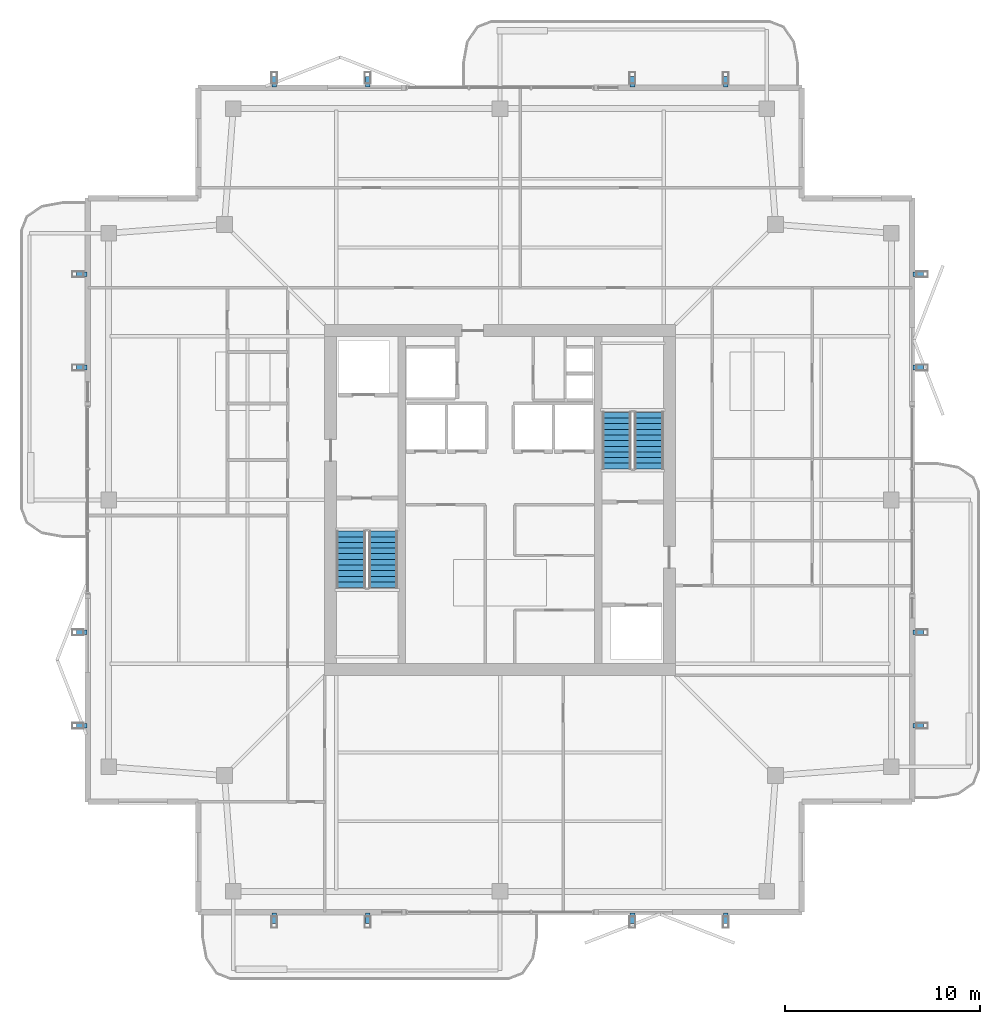
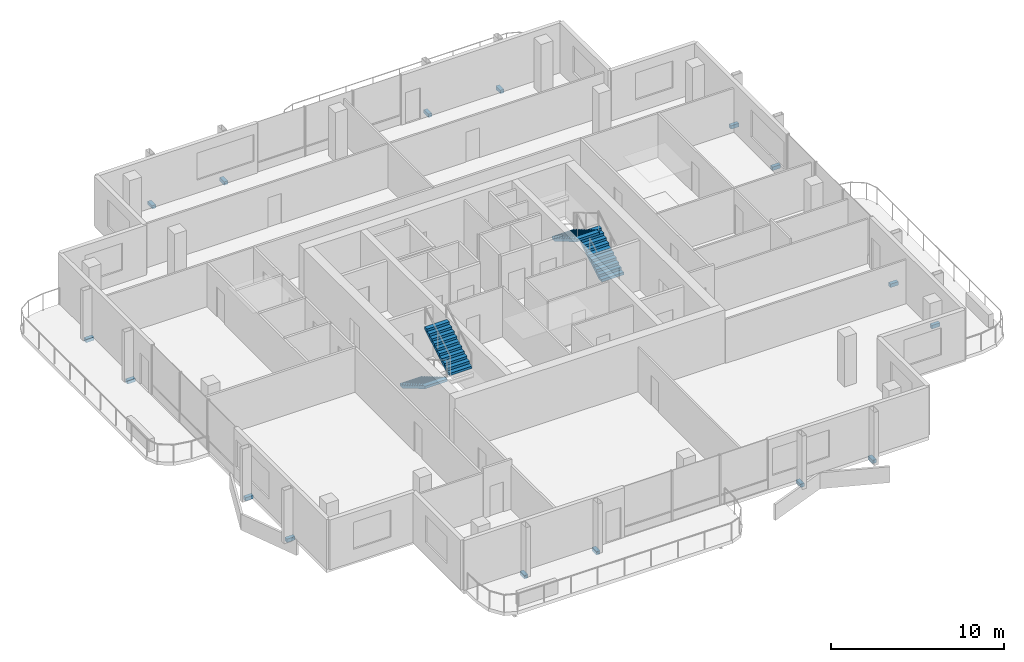
# One storey, part 19 of 22: 16 discrete accessories, 4 stair flights, 2 elements without a shape of their own.
"""IFC4 building model written with IfcOpenShell, lengths in metres."""

from ifc_helpers import new_model, si_unit, direction, frame, origin, origin_2d, place, context, subcontext, project, spatial, polyline, rectangle, outline, extrude, material, layer, layer_set, type_object, element, aggregate, save


model = new_model("IFC4")

# Units and contexts
model_context = context("Model", 3, precision=1e-05, world=origin(), true_north=direction((0.0, 1.0)))
body_context = subcontext(model_context, "Body", "Model", "MODEL_VIEW")
ifc_project = project(units=[si_unit("LENGTHUNIT", "METRE"), si_unit("AREAUNIT", "SQUARE_METRE"), si_unit("VOLUMEUNIT", "CUBIC_METRE"), si_unit("PLANEANGLEUNIT", "RADIAN"), si_unit("MASSUNIT", "GRAM", prefix="KILO")], contexts=[model_context])

# Site, building, storey
site_placement = place(None, origin())
site = spatial("IfcSite", under=ifc_project, at=site_placement, CompositionType="ELEMENT")
building_placement = place(site_placement, origin())
building = spatial("IfcBuilding", under=site, at=building_placement, Name="Belovzor Exchange Tower", CompositionType="ELEMENT")
storey_placement = place(building_placement, frame((0.0, 0.0, 348.0)))
storey = spatial("IfcBuildingStorey", under=building, at=storey_placement, Name="L87", CompositionType="ELEMENT", Elevation=348.0)

# Stair, stair flights
ifc_material_1 = material(Name="Concrete C40/50", Category="concrete")
stair_type = type_object("IfcStairType", Name="Reinforced Concrete Dogleg Escape Stair 1350", PredefinedType="HALF_TURN_STAIR", material=ifc_material_1)
stair_1_placement = place(storey_placement, origin())
stair_1 = element("IfcStair", 1, at=stair_1_placement, inside=storey, type_object=stair_type, Name="L87 ST-1", PredefinedType="HALF_TURN_STAIR")
ifc_material_2 = material(Name="Concrete C40/50", Category="concrete")
stair_flight_type = type_object("IfcStairFlightType", Name="Reinforced Concrete Stair Flight 1350", PredefinedType="STRAIGHT", material=ifc_material_2)
stair_flight_1_placement = place(storey_placement, frame((21.14990234375, 27.199951171875, 0.0), z_axis=(0.0, 0.0, 1.0), x_axis=(0.0, -1.0, 0.0)))
stair_flight_1 = element("IfcStairFlight", 2, at=stair_flight_1_placement, type_object=stair_flight_type, Name="ST-1 flight 1", NumberOfRisers=11, NumberOfTreads=10, PredefinedType="STRAIGHT", RiserHeight=0.170454545, TreadLength=0.29, context=body_context, shape_type="SweptSolid", body=[
    extrude(outline(polyline([(0.0, 0.0), (0.0, 0.17041015625), (0.2900390625, 0.17041015625), (0.2900390625, 0.3408203125), (0.580078125, 0.3408203125), (0.580078125, 0.511474609375), (0.8701171875, 0.511474609375), (0.8701171875, 0.681884765625), (1.159912109375, 0.681884765625), (1.159912109375, 0.852294921875), (1.449951171875, 0.852294921875), (1.449951171875, 1.022705078125), (1.739990234375, 1.022705078125), (1.739990234375, 1.193115234375), (2.030029296875, 1.193115234375), (2.030029296875, 1.363525390625), (2.320068359375, 1.363525390625), (2.320068359375, 1.5341796875), (2.610107421875, 1.5341796875), (2.610107421875, 1.70458984375), (2.89990234375, 1.70458984375), (2.89990234375, 1.875), (2.89990234375, 1.53076171875), (0.2958984375, 0.0), (0.0, 0.0)])), frame((0.0, 0.75, 0.0), z_axis=(0.0, -1.0, 0.0), x_axis=(1.0, 0.0, 0.0)), (0.0, 0.0, 1.0), 1.5),
])
stair_flight_2_placement = place(storey_placement, frame((22.800048828125, 24.300048828125, 1.875), z_axis=(0.0, 0.0, 1.0), x_axis=(0.0, 1.0, 0.0)))
stair_flight_2 = element("IfcStairFlight", 3, at=stair_flight_2_placement, type_object=stair_flight_type, Name="ST-1 flight 2", NumberOfRisers=11, NumberOfTreads=10, PredefinedType="STRAIGHT", RiserHeight=0.170454545, TreadLength=0.29, context=body_context, shape_type="SweptSolid", body=[
    extrude(outline(polyline([(0.0, 0.0), (0.0, 0.17041015625), (0.2900390625, 0.17041015625), (0.2900390625, 0.3408203125), (0.580078125, 0.3408203125), (0.580078125, 0.511474609375), (0.8701171875, 0.511474609375), (0.8701171875, 0.681884765625), (1.159912109375, 0.681884765625), (1.159912109375, 0.852294921875), (1.449951171875, 0.852294921875), (1.449951171875, 1.022705078125), (1.739990234375, 1.022705078125), (1.739990234375, 1.193115234375), (2.030029296875, 1.193115234375), (2.030029296875, 1.363525390625), (2.320068359375, 1.363525390625), (2.320068359375, 1.5341796875), (2.610107421875, 1.5341796875), (2.610107421875, 1.70458984375), (2.89990234375, 1.70458984375), (2.89990234375, 1.875), (2.89990234375, 1.53076171875), (0.2958984375, 0.0), (0.0, 0.0)])), frame((0.0, 0.75, 0.0), z_axis=(0.0, -1.0, 0.0), x_axis=(1.0, 0.0, 0.0)), (0.0, 0.0, 1.0), 1.5),
])
aggregate(stair_1, [stair_flight_1, stair_flight_2])

stair_2_placement = place(storey_placement, origin())
stair_2 = element("IfcStair", 4, at=stair_2_placement, inside=storey, type_object=stair_type, Name="L87 ST-2", PredefinedType="HALF_TURN_STAIR")
stair_flight_3_placement = place(storey_placement, frame((36.449951171875, 30.39990234375, 0.0), z_axis=(0.0, 0.0, 1.0), x_axis=(0.0, 1.0, 0.0)))
stair_flight_3 = element("IfcStairFlight", 5, at=stair_flight_3_placement, type_object=stair_flight_type, Name="ST-2 flight 1", NumberOfRisers=11, NumberOfTreads=10, PredefinedType="STRAIGHT", RiserHeight=0.170454545, TreadLength=0.29, context=body_context, shape_type="SweptSolid", body=[
    extrude(outline(polyline([(0.0, 0.0), (0.0, 0.17041015625), (0.2900390625, 0.17041015625), (0.2900390625, 0.3408203125), (0.580078125, 0.3408203125), (0.580078125, 0.511474609375), (0.8701171875, 0.511474609375), (0.8701171875, 0.681884765625), (1.159912109375, 0.681884765625), (1.159912109375, 0.852294921875), (1.449951171875, 0.852294921875), (1.449951171875, 1.022705078125), (1.739990234375, 1.022705078125), (1.739990234375, 1.193115234375), (2.030029296875, 1.193115234375), (2.030029296875, 1.363525390625), (2.320068359375, 1.363525390625), (2.320068359375, 1.5341796875), (2.610107421875, 1.5341796875), (2.610107421875, 1.70458984375), (2.89990234375, 1.70458984375), (2.89990234375, 1.875), (2.89990234375, 1.53076171875), (0.2958984375, 0.0), (0.0, 0.0)])), frame((0.0, 0.75, 0.0), z_axis=(0.0, -1.0, 0.0), x_axis=(1.0, 0.0, 0.0)), (0.0, 0.0, 1.0), 1.5),
])
stair_flight_4_placement = place(storey_placement, frame((34.800048828125, 33.300048828125, 1.875), z_axis=(0.0, 0.0, 1.0), x_axis=(0.0, -1.0, 0.0)))
stair_flight_4 = element("IfcStairFlight", 6, at=stair_flight_4_placement, type_object=stair_flight_type, Name="ST-2 flight 2", NumberOfRisers=11, NumberOfTreads=10, PredefinedType="STRAIGHT", RiserHeight=0.170454545, TreadLength=0.29, context=body_context, shape_type="SweptSolid", body=[
    extrude(outline(polyline([(0.0, 0.0), (0.0, 0.17041015625), (0.2900390625, 0.17041015625), (0.2900390625, 0.3408203125), (0.580078125, 0.3408203125), (0.580078125, 0.511474609375), (0.8701171875, 0.511474609375), (0.8701171875, 0.681884765625), (1.159912109375, 0.681884765625), (1.159912109375, 0.852294921875), (1.449951171875, 0.852294921875), (1.449951171875, 1.022705078125), (1.739990234375, 1.022705078125), (1.739990234375, 1.193115234375), (2.030029296875, 1.193115234375), (2.030029296875, 1.363525390625), (2.320068359375, 1.363525390625), (2.320068359375, 1.5341796875), (2.610107421875, 1.5341796875), (2.610107421875, 1.70458984375), (2.89990234375, 1.70458984375), (2.89990234375, 1.875), (2.89990234375, 1.53076171875), (0.2958984375, 0.0), (0.0, 0.0)])), frame((0.0, 0.75, 0.0), z_axis=(0.0, -1.0, 0.0), x_axis=(1.0, 0.0, 0.0)), (0.0, 0.0, 1.0), 1.5),
])
aggregate(stair_2, [stair_flight_3, stair_flight_4])

# Discrete accessories
ifc_material_3 = material(Name="Stainless Steel Grade 316", Category="steel")
ifc_layer = layer(ifc_material_3, 0.179931640625)
ifc_layer_set = layer_set([ifc_layer], Name="Stainless Steel Grade 316")
discrete_accessory_type = type_object("IfcDiscreteAccessoryType", Name="Stainless Steel Facade Outrigger Fixing Bracket", PredefinedType="BRACKET", material=ifc_layer_set)
for number, where, z_axis, x_axis, name in (
    (7, (17.199951171875, 7.31201171875, -0.240234375), (0.0, 0.0, 1.0), (0.0, 1.0, 0.0), "BRK-FIN1 Sweeping Fin Outrigger Bracket L87 S1"),
    (8, (17.199951171875, 50.2880859375, -0.240234375), (0.0, 0.0, 1.0), (0.0, 1.0, 0.0), "BRK-FIN1 Sweeping Fin Outrigger Bracket L87 N1"),
    (9, (7.31201171875, 17.199951171875, -0.240234375), (0.0, 0.0, 1.0), (1.0, 0.0, 0.0), "BRK-FIN1 Sweeping Fin Outrigger Bracket L87 W1"),
    (10, (50.2880859375, 17.199951171875, -0.240234375), (0.0, 0.0, 1.0), (1.0, 0.0, 0.0), "BRK-FIN1 Sweeping Fin Outrigger Bracket L87 E1"),
    (11, (22.0, 7.31201171875, -0.240234375), (0.0, 0.0, 1.0), (0.0, 1.0, 0.0), "BRK-FIN1 Sweeping Fin Outrigger Bracket L87 S2"),
    (12, (22.0, 50.2880859375, -0.240234375), (0.0, 0.0, 1.0), (0.0, 1.0, 0.0), "BRK-FIN1 Sweeping Fin Outrigger Bracket L87 N2"),
    (13, (7.31201171875, 22.0, -0.240234375), (0.0, 0.0, 1.0), (1.0, 0.0, 0.0), "BRK-FIN1 Sweeping Fin Outrigger Bracket L87 W2"),
    (14, (50.2880859375, 22.0, -0.240234375), (0.0, 0.0, 1.0), (1.0, 0.0, 0.0), "BRK-FIN1 Sweeping Fin Outrigger Bracket L87 E2"),
    (15, (35.60009765625, 7.31201171875, -0.240234375), (0.0, 0.0, 1.0), (0.0, 1.0, 0.0), "BRK-FIN1 Sweeping Fin Outrigger Bracket L87 S3"),
    (16, (35.60009765625, 50.2880859375, -0.240234375), (0.0, 0.0, 1.0), (0.0, 1.0, 0.0), "BRK-FIN1 Sweeping Fin Outrigger Bracket L87 N3"),
    (17, (7.31201171875, 35.60009765625, -0.240234375), (0.0, 0.0, 1.0), (1.0, 0.0, 0.0), "BRK-FIN1 Sweeping Fin Outrigger Bracket L87 W3"),
    (18, (50.2880859375, 35.60009765625, -0.240234375), (0.0, 0.0, 1.0), (1.0, 0.0, 0.0), "BRK-FIN1 Sweeping Fin Outrigger Bracket L87 E3"),
    (19, (40.39990234375, 7.31201171875, -0.240234375), (0.0, 0.0, 1.0), (0.0, 1.0, 0.0), "BRK-FIN1 Sweeping Fin Outrigger Bracket L87 S4"),
    (20, (40.39990234375, 50.2880859375, -0.240234375), (0.0, 0.0, 1.0), (0.0, 1.0, 0.0), "BRK-FIN1 Sweeping Fin Outrigger Bracket L87 N4"),
    (21, (7.31201171875, 40.39990234375, -0.240234375), (0.0, 0.0, 1.0), (1.0, 0.0, 0.0), "BRK-FIN1 Sweeping Fin Outrigger Bracket L87 W4"),
    (22, (50.2880859375, 40.39990234375, -0.240234375), (0.0, 0.0, 1.0), (1.0, 0.0, 0.0), "BRK-FIN1 Sweeping Fin Outrigger Bracket L87 E4"),
):
    element("IfcDiscreteAccessory", number, at=place(storey_placement, frame(where, z_axis=z_axis, x_axis=x_axis)), inside=storey, type_object=discrete_accessory_type, Name=name, PredefinedType="BRACKET", context=body_context, shape_type="SweptSolid", body=[
        extrude(rectangle(XDim=0.534912109375, YDim=0.239990234375, at=origin_2d()), origin(), (0.0, 0.0, 1.0), 0.239990234375),
    ])

save(model, "model.ifc")
